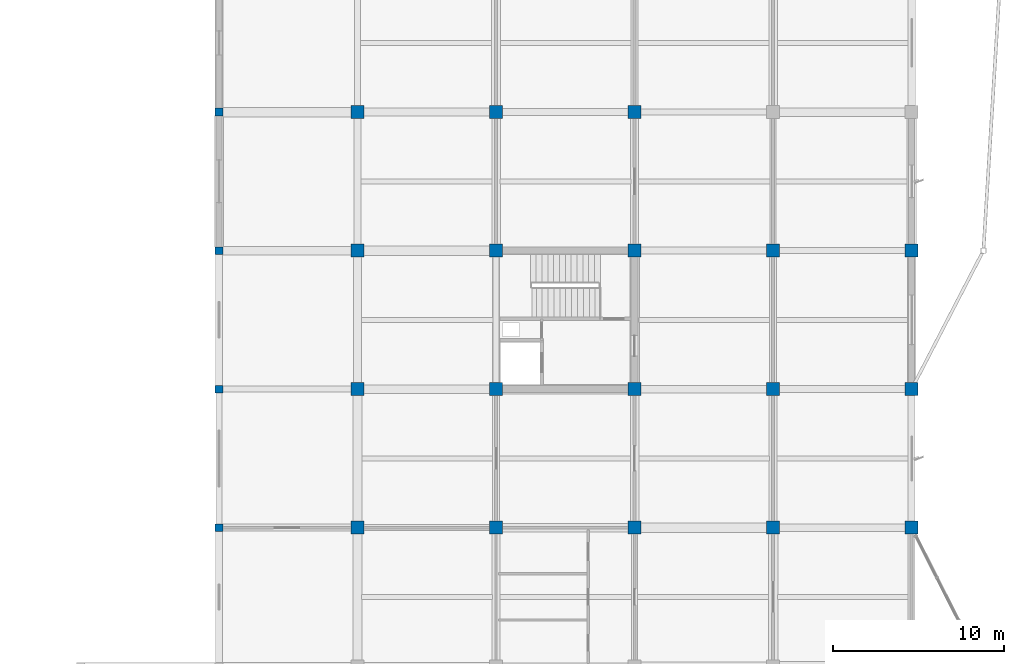
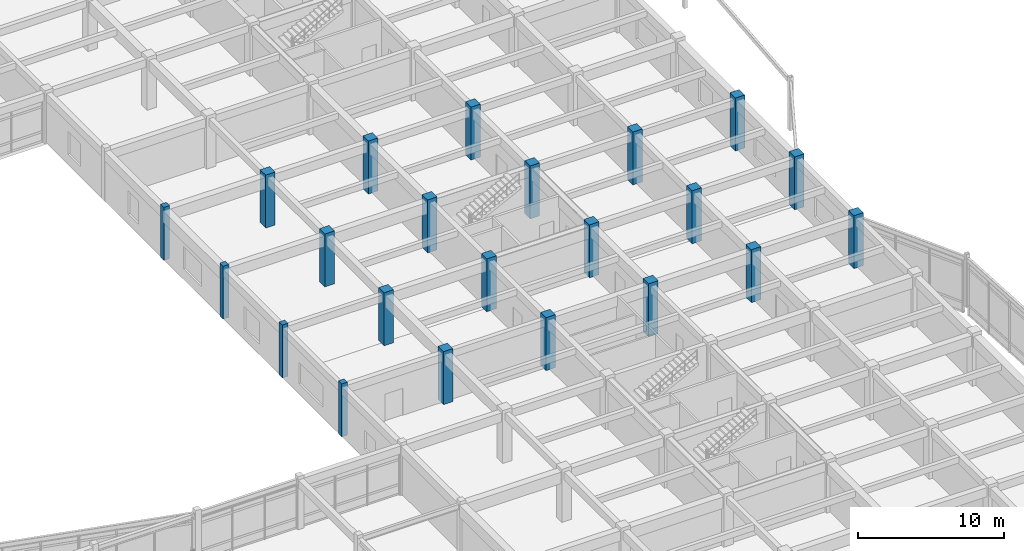
# One storey, part 13 of 89: 22 columns.
"""IFC4 building model written with IfcOpenShell, lengths in metres."""

from ifc_helpers import new_model, si_unit, direction, frame, origin, origin_2d, place, context, subcontext, project, spatial, rectangle, extrude, material, material_profile, profile_set, type_object, element, save


model = new_model("IFC4")

# Units and contexts
model_context = context("Model", 3, precision=1e-05, world=origin(), true_north=direction((0.0, 1.0)))
body_context = subcontext(model_context, "Body", "Model", "MODEL_VIEW")
ifc_project = project(units=[si_unit("LENGTHUNIT", "METRE"), si_unit("AREAUNIT", "SQUARE_METRE"), si_unit("VOLUMEUNIT", "CUBIC_METRE"), si_unit("PLANEANGLEUNIT", "RADIAN"), si_unit("MASSUNIT", "GRAM", prefix="KILO")], contexts=[model_context])

# Site, building, storey
site_placement = place(None, origin())
site = spatial("IfcSite", under=ifc_project, at=site_placement, CompositionType="ELEMENT")
building_placement = place(site_placement, origin())
building = spatial("IfcBuilding", under=site, at=building_placement, Name="Vaudrelin Polytechnic", CompositionType="ELEMENT")
storey_placement = place(building_placement, frame((0.0, 0.0, 9.68994140625)))
storey = spatial("IfcBuildingStorey", under=building, at=storey_placement, Name="L02", CompositionType="ELEMENT", Elevation=9.68994140625)

# Columns
ifc_material_1 = material(Name="Concrete 40 MPa", Category="concrete")
ifc_material_profile_1 = material_profile(ifc_material_1, rectangle(XDim=0.449951171875, YDim=0.449951171875, at=origin_2d()), Name="RC450x450")
ifc_profile_set_1 = profile_set([ifc_material_profile_1], Name="Concrete 40 MPa")
column_type_1 = type_object("IfcColumnType", Name="COL-C-RC450", PredefinedType="COLUMN", material=ifc_profile_set_1)
for number, where, z_axis, x_axis, name in (
    (1, (129.60009765625, 56.699951171875, 0.0), (0.0, 0.0, 1.0), (1.0, 0.0, 0.0), "Column L02 17-8"),
    (2, (129.60009765625, 64.800048828125, 0.0), (0.0, 0.0, 1.0), (1.0, 0.0, 0.0), "Column L02 17-9"),
    (3, (129.60009765625, 72.89990234375, 0.0), (0.0, 0.0, 1.0), (1.0, 0.0, 0.0), "Column L02 17-10"),
    (4, (129.60009765625, 81.0, 0.0), (0.0, 0.0, 1.0), (1.0, 0.0, 0.0), "Column L02 17-11"),
):
    element("IfcColumn", number, at=place(storey_placement, frame(where, z_axis=z_axis, x_axis=x_axis)), inside=storey, type_object=column_type_1, Name=name, PredefinedType="COLUMN", context=body_context, shape_type="SweptSolid", body=[
        extrude(rectangle(XDim=0.449951171875, YDim=0.449951171875, at=origin_2d()), origin(), (0.0, 0.0, 1.0), 4.420166015625),
    ])
ifc_material_2 = material(Name="Concrete 50 MPa", Category="concrete")
ifc_material_profile_2 = material_profile(ifc_material_2, rectangle(XDim=0.75, YDim=0.75, at=origin_2d()), Name="RC750x750")
ifc_profile_set_2 = profile_set([ifc_material_profile_2], Name="Concrete 50 MPa")
column_type_2 = type_object("IfcColumnType", Name="COL-C-RC750", PredefinedType="COLUMN", material=ifc_profile_set_2)
for number, where, z_axis, x_axis, name in (
    (5, (137.699951171875, 56.699951171875, 0.0), (0.0, 0.0, 1.0), (1.0, 0.0, 0.0), "Column L02 18-8"),
    (6, (137.699951171875, 64.800048828125, 0.0), (0.0, 0.0, 1.0), (1.0, 0.0, 0.0), "Column L02 18-9"),
    (7, (137.699951171875, 72.89990234375, 0.0), (0.0, 0.0, 1.0), (1.0, 0.0, 0.0), "Column L02 18-10"),
    (8, (137.699951171875, 81.0, 0.0), (0.0, 0.0, 1.0), (1.0, 0.0, 0.0), "Column L02 18-11"),
    (9, (145.800048828125, 56.699951171875, 0.0), (0.0, 0.0, 1.0), (1.0, 0.0, 0.0), "Column L02 19-8"),
    (10, (145.800048828125, 64.800048828125, 0.0), (0.0, 0.0, 1.0), (1.0, 0.0, 0.0), "Column L02 19-9"),
    (11, (145.800048828125, 72.89990234375, 0.0), (0.0, 0.0, 1.0), (1.0, 0.0, 0.0), "Column L02 19-10"),
    (12, (145.800048828125, 81.0, 0.0), (0.0, 0.0, 1.0), (1.0, 0.0, 0.0), "Column L02 19-11"),
    (13, (153.89990234375, 56.699951171875, 0.0), (0.0, 0.0, 1.0), (1.0, 0.0, 0.0), "Column L02 20-8"),
    (14, (153.89990234375, 64.800048828125, 0.0), (0.0, 0.0, 1.0), (1.0, 0.0, 0.0), "Column L02 20-9"),
    (15, (153.89990234375, 72.89990234375, 0.0), (0.0, 0.0, 1.0), (1.0, 0.0, 0.0), "Column L02 20-10"),
    (16, (153.89990234375, 81.0, 0.0), (0.0, 0.0, 1.0), (1.0, 0.0, 0.0), "Column L02 20-11"),
    (17, (162.0, 56.699951171875, 0.0), (0.0, 0.0, 1.0), (1.0, 0.0, 0.0), "Column L02 21-8"),
    (18, (162.0, 64.800048828125, 0.0), (0.0, 0.0, 1.0), (1.0, 0.0, 0.0), "Column L02 21-9"),
    (19, (162.0, 72.89990234375, 0.0), (0.0, 0.0, 1.0), (1.0, 0.0, 0.0), "Column L02 21-10"),
    (20, (170.10009765625, 56.699951171875, 0.0), (0.0, 0.0, 1.0), (1.0, 0.0, 0.0), "Column L02 22-8"),
    (21, (170.10009765625, 64.800048828125, 0.0), (0.0, 0.0, 1.0), (1.0, 0.0, 0.0), "Column L02 22-9"),
    (22, (170.10009765625, 72.89990234375, 0.0), (0.0, 0.0, 1.0), (1.0, 0.0, 0.0), "Column L02 22-10"),
):
    element("IfcColumn", number, at=place(storey_placement, frame(where, z_axis=z_axis, x_axis=x_axis)), inside=storey, type_object=column_type_2, Name=name, PredefinedType="COLUMN", context=body_context, shape_type="SweptSolid", body=[
        extrude(rectangle(XDim=0.75, YDim=0.75, at=origin_2d()), origin(), (0.0, 0.0, 1.0), 4.420166015625),
    ])

save(model, "model.ifc")
